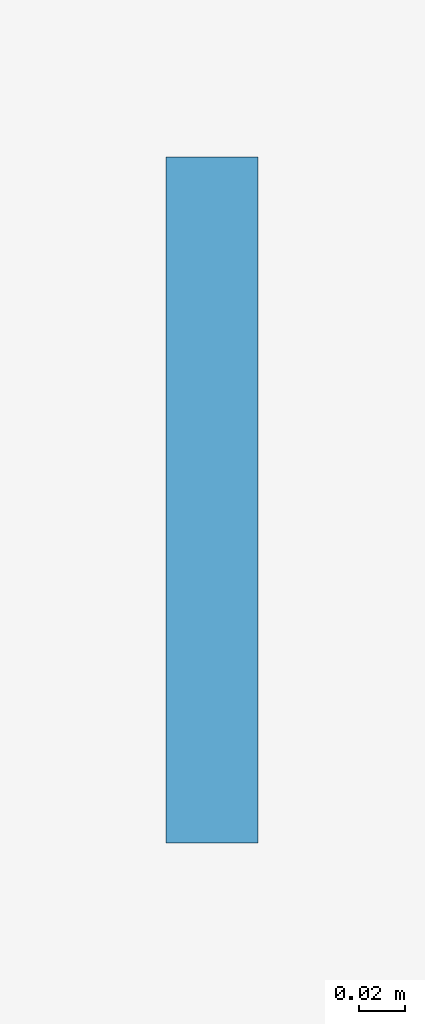
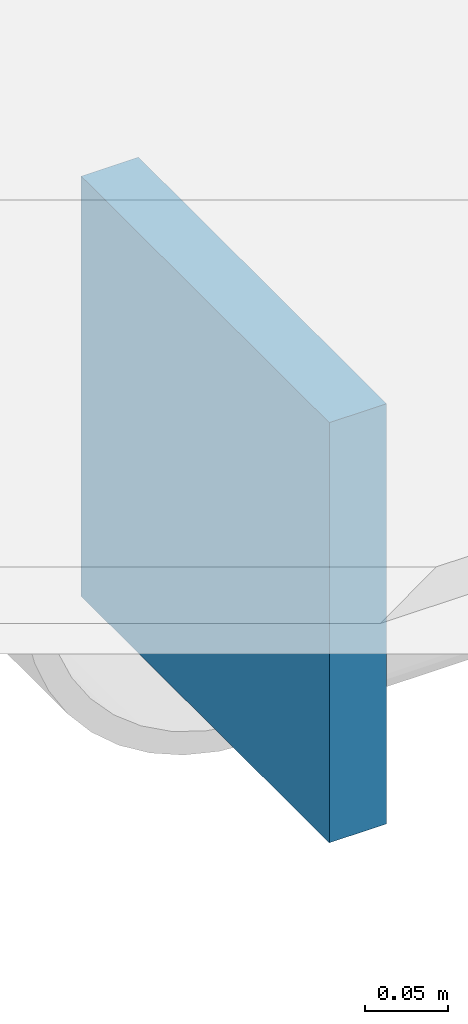
# One storey, part 17 of 26: 1 plate.
"""IFC4 building model written with IfcOpenShell, lengths in metres."""

from ifc_helpers import new_model, si_unit, direction, frame, origin, origin_2d, place, context, subcontext, project, spatial, rectangle, extrude, material, layer, layer_set, type_object, element, save


model = new_model("IFC4")

# Units and contexts
model_context = context("Model", 3, precision=1e-05, world=origin(), true_north=direction((0.0, 1.0)))
body_context = subcontext(model_context, "Body", "Model", "MODEL_VIEW")
ifc_project = project(units=[si_unit("LENGTHUNIT", "METRE"), si_unit("AREAUNIT", "SQUARE_METRE"), si_unit("VOLUMEUNIT", "CUBIC_METRE"), si_unit("PLANEANGLEUNIT", "RADIAN"), si_unit("MASSUNIT", "GRAM", prefix="KILO"), si_unit("THERMODYNAMICTEMPERATUREUNIT", "KELVIN"), si_unit("POWERUNIT", "WATT")], contexts=[model_context])

# Site, building, storey
site_placement = place(None, origin())
site = spatial("IfcSite", under=ifc_project, at=site_placement, CompositionType="ELEMENT")
building_placement = place(site_placement, origin())
building = spatial("IfcBuilding", under=site, at=building_placement, Name="Svarakhadi Broadcast Tower", CompositionType="ELEMENT")
storey_placement = place(building_placement, frame((0.0, 0.0, 195.449951171875)))
storey = spatial("IfcBuildingStorey", under=building, at=storey_placement, Name="L48", CompositionType="ELEMENT", Elevation=195.449951171875)

# Plate
ifc_material = material(Name="Steel S460ML (IS 2062 E450BR)", Category="steel")
ifc_layer = layer(ifc_material, 0.028076171875)
ifc_layer_set = layer_set([ifc_layer], Name="Steel S460ML (IS 2062 E450BR)")
plate_type = type_object("IfcPlateType", Name="Cap_Plate_CP02", PredefinedType="USERDEFINED", material=ifc_layer_set)
plate_placement = place(storey_placement, frame((29.985107421875, -1.800048828125, -0.5048828125), z_axis=(0.0, 0.0, 1.0), x_axis=(1.0, 0.0, 0.0)))
element("IfcPlate", 1, at=plate_placement, inside=storey, type_object=plate_type, Name="L48 Balcony Spandrel End Cap Plate 1F-A", ObjectType="FLANGE_PLATE", PredefinedType="USERDEFINED", context=body_context, shape_type="SweptSolid", body=[
    extrude(rectangle(XDim=0.0400390625, YDim=0.300048828125, at=origin_2d()), origin(), (0.0, 0.0, 1.0), 0.31005859375),
])

save(model, "model.ifc")
